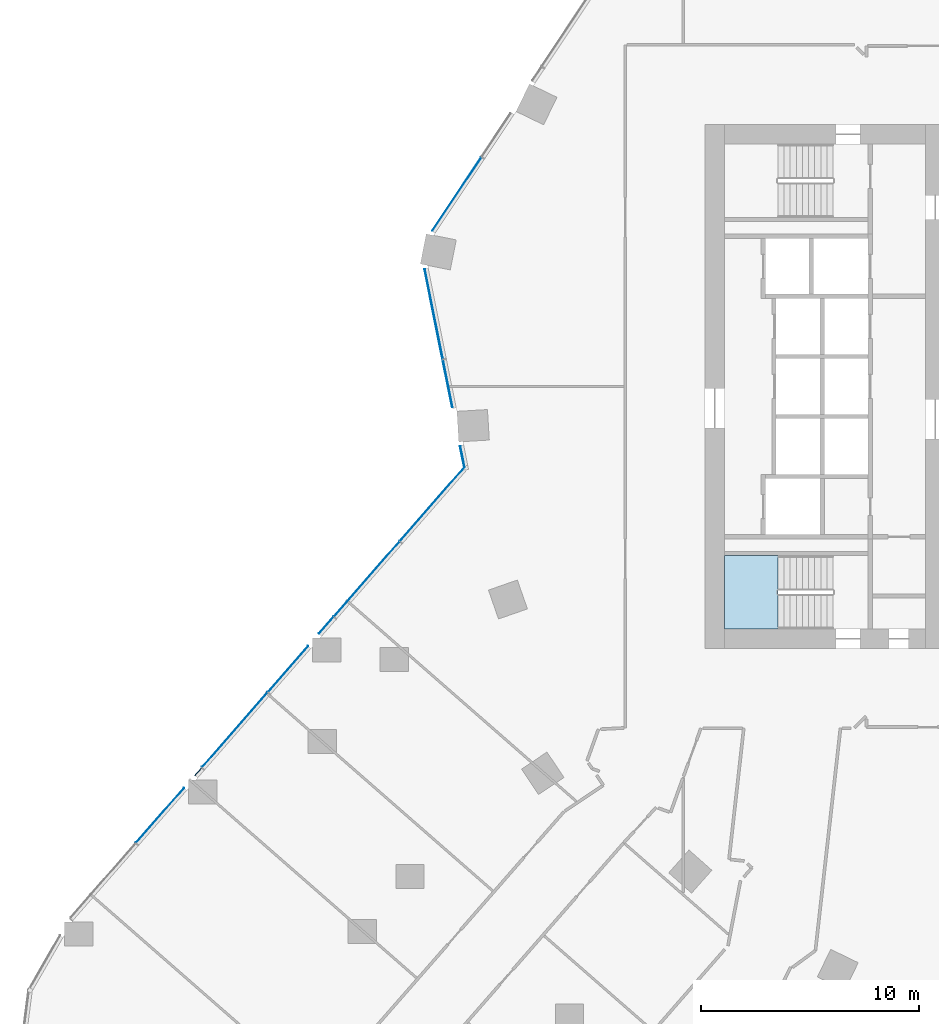
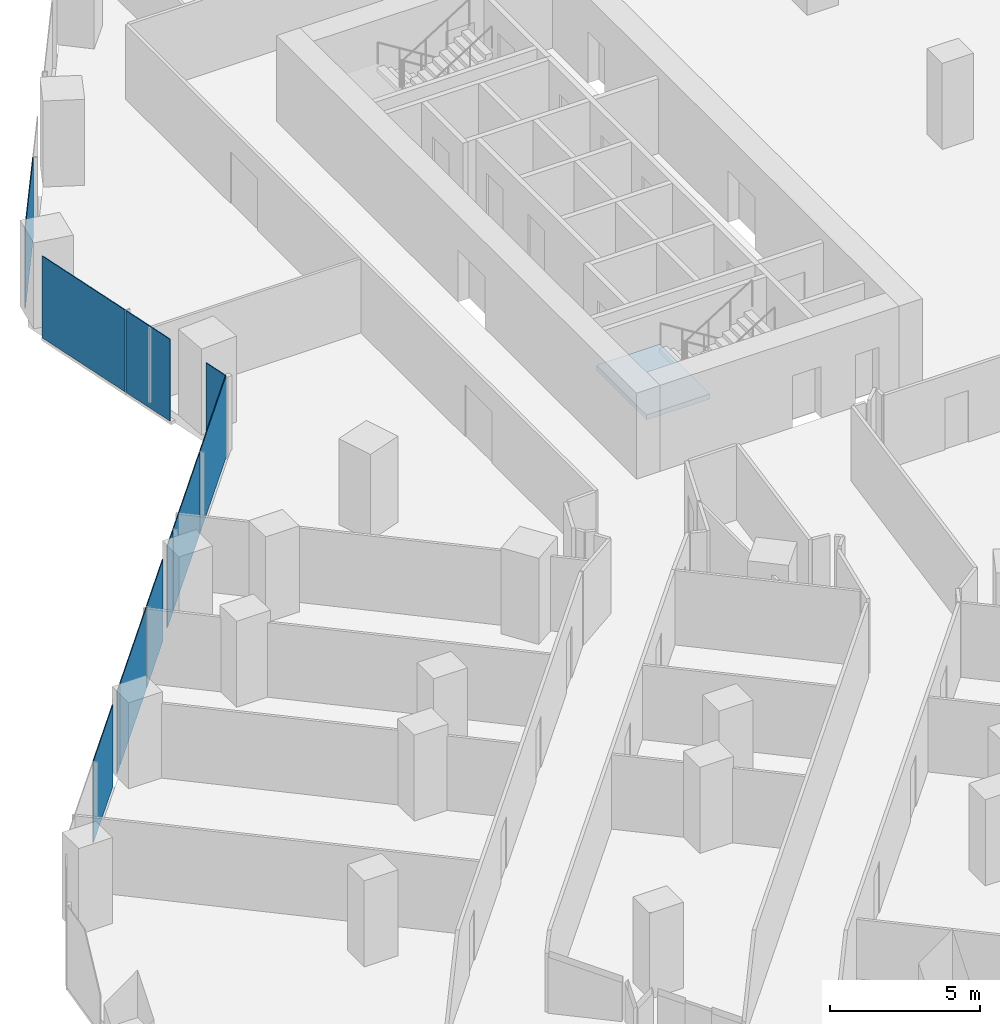
# One storey, part 20 of 38: 11 plates, 1 slab, 4 elements without a shape of their own.
"""IFC4 building model written with IfcOpenShell, lengths in metres."""

import ifcopenshell
import ifcopenshell.guid

model = None  # the IFC model being written
_history = None  # IfcOwnerHistory: only IFC2X3 demands one
_inside = {}  # id of a spatial element -> (the spatial element, [elements in it])
_under = {}  # id of a project, library or spatial element -> (it, [spatial elements below it])
_declared = {}  # id of a project -> (the project, [libraries it declares])
_typed = {}  # id of a type object -> (the type object, [elements of that type])
_made_of = {}  # id of a material, layer set ... -> (it, [elements and type objects made of it])


def new_model(schema):
    """Start an empty IFC model of exactly this schema.

    Asked for "IFC4X3", IfcOpenShell would pick the latest addendum, in which some entities
    have other attributes; the version numbers below select the first issue.
    IFC2X3 requires an IfcOwnerHistory on every rooted entity: one is made here for all.
    """
    global model, _history
    if schema == "IFC4X3":
        model = ifcopenshell.file(schema_version=(4, 3, 0, 0))
    else:
        model = ifcopenshell.file(schema=schema)
    _inside.clear()
    _under.clear()
    _declared.clear()
    _typed.clear()
    _made_of.clear()
    _history = None
    if model.schema == "IFC2X3":
        org = make("IfcOrganization", Name="unknown")
        user = make(
            "IfcPersonAndOrganization",
            ThePerson=make("IfcPerson", FamilyName="unknown"),
            TheOrganization=org,
        )
        app = make(
            "IfcApplication",
            ApplicationDeveloper=org,
            Version="unknown",
            ApplicationFullName="unknown",
            ApplicationIdentifier="unknown",
        )
        _history = make(
            "IfcOwnerHistory",
            OwningUser=user,
            OwningApplication=app,
            ChangeAction="ADDED",
            CreationDate=0,
        )
    return model


def make(cls, **values):
    """One entity of the class cls with the attributes given. An attribute that is None is left unset."""
    return model.create_entity(
        cls, **{name: value for name, value in values.items() if value is not None}
    )


def rooted(cls, **values):
    """An entity with a GlobalId (a new one), such as an element, a storey or a relation."""
    return make(cls, GlobalId=ifcopenshell.guid.new(), OwnerHistory=_history, **values)


def si_unit(unit_type, name, prefix=None):
    """IfcSIUnit, for example si_unit("LENGTHUNIT", "METRE", prefix="MILLI")."""
    return make("IfcSIUnit", UnitType=unit_type, Prefix=prefix, Name=name)


def assignment(units):
    """IfcUnitAssignment: the units of a project."""
    return None if units is None else make("IfcUnitAssignment", Units=units)


def point(xyz):
    """IfcCartesianPoint."""
    return None if xyz is None else make("IfcCartesianPoint", Coordinates=xyz)


def direction(xyz):
    """IfcDirection."""
    return None if xyz is None else make("IfcDirection", DirectionRatios=xyz)


def frame(location, z_axis=None, x_axis=None):
    """IfcAxis2Placement3D, a coordinate frame: its origin and axes. An axis left out is left unset."""
    return make(
        "IfcAxis2Placement3D",
        Location=point(location),
        Axis=direction(z_axis),
        RefDirection=direction(x_axis),
    )


def frame_2d(location, x_axis=None):
    """IfcAxis2Placement2D, a coordinate frame in the plane: its origin and x axis."""
    return make(
        "IfcAxis2Placement2D", Location=point(location), RefDirection=direction(x_axis)
    )


def origin():
    """The frame at (0, 0, 0) with its axes left unset."""
    return frame((0.0, 0.0, 0.0))


def origin_2d():
    """The frame at (0, 0) in the plane with its x axis left unset."""
    return frame_2d((0.0, 0.0))


def place(relative_to, where):
    """IfcLocalPlacement: puts the frame where relative to a parent placement (None: the world)."""
    return make(
        "IfcLocalPlacement", PlacementRelTo=relative_to, RelativePlacement=where
    )


def context(
    kind, dimensions, precision=None, world=None, true_north=None, identifier=None
):
    """IfcGeometricRepresentationContext, for example the 3D "Model" context."""
    return make(
        "IfcGeometricRepresentationContext",
        ContextIdentifier=identifier,
        ContextType=kind,
        CoordinateSpaceDimension=dimensions,
        Precision=precision,
        WorldCoordinateSystem=world,
        TrueNorth=true_north,
    )


def subcontext(parent, identifier, kind, view, scale=None):
    """IfcGeometricRepresentationSubContext, for example "Body" below "Model"."""
    return make(
        "IfcGeometricRepresentationSubContext",
        ContextIdentifier=identifier,
        ContextType=kind,
        ParentContext=parent,
        TargetScale=scale,
        TargetView=view,
    )


def project(units=None, contexts=None):
    """IfcProject with its units and contexts."""
    return rooted(
        "IfcProject",
        Name="project",
        RepresentationContexts=contexts,
        UnitsInContext=assignment(units),
    )


def spatial(cls, under=None, at=None, **own):
    """A site, building, storey or space (cls), placed at a placement, below another one or the project."""
    s = rooted(cls, ObjectPlacement=at, **own)
    if under is not None:
        _under.setdefault(under.id(), (under, []))[1].append(s)
    return s


def polyline(points):
    """IfcPolyline through the points."""
    return make("IfcPolyline", Points=[point(p) for p in points])


def profile(cls, at=None, kind="AREA", **sizes):
    """A parametric profile (cls). Its sizes go by their IFC names, for example OverallWidth=200.0."""
    return make(cls, ProfileType=kind, Position=at, **sizes)


def rectangle(**sizes):
    """IfcRectangleProfileDef."""
    return profile("IfcRectangleProfileDef", **sizes)


def outline(outer, holes=None, kind="AREA"):
    """IfcArbitraryClosedProfileDef: a profile drawn as a closed curve; with holes, ...WithVoids."""
    if holes is None:
        return make("IfcArbitraryClosedProfileDef", ProfileType=kind, OuterCurve=outer)
    return make(
        "IfcArbitraryProfileDefWithVoids",
        ProfileType=kind,
        OuterCurve=outer,
        InnerCurves=holes,
    )


def extrude(swept, where, along, depth):
    """IfcExtrudedAreaSolid: the profile swept, set in the frame where, extruded along a direction by depth."""
    return make(
        "IfcExtrudedAreaSolid",
        SweptArea=swept,
        Position=where,
        ExtrudedDirection=direction(along),
        Depth=depth,
    )


def shape(context_of_items, identifier, shape_type, items):
    """IfcShapeRepresentation: the items that make up one representation, for example the "Body"."""
    return make(
        "IfcShapeRepresentation",
        ContextOfItems=context_of_items,
        RepresentationIdentifier=identifier,
        RepresentationType=shape_type,
        Items=items,
    )


def material(Name=None, Category=None):
    """IfcMaterial."""
    return make("IfcMaterial", Name=Name, Category=Category)


def layer(
    of_material, thickness, ventilated=None, Name=None, Category=None, Priority=None
):
    """IfcMaterialLayer: one layer of a wall or slab, of a material (None: an air gap)."""
    return make(
        "IfcMaterialLayer",
        Material=of_material,
        LayerThickness=thickness,
        IsVentilated=ventilated,
        Name=Name,
        Category=Category,
        Priority=Priority,
    )


def layer_set(layers, Name=None):
    """IfcMaterialLayerSet."""
    return make("IfcMaterialLayerSet", MaterialLayers=layers, LayerSetName=Name)


def made_of(thing, what):
    """Note that an element or type object is made of a material, layer set ...; save() writes the relation."""
    if what is not None:
        _made_of.setdefault(what.id(), (what, []))[1].append(thing)
    return thing


def type_object(cls, material=None, **own):
    """A type object (cls), such as IfcWallType, which elements share."""
    return made_of(rooted(cls, **own), material)


def element(
    cls,
    number,
    at=None,
    inside=None,
    cuts=None,
    type_object=None,
    material=None,
    context=None,
    identifier="Body",
    shape_type=None,
    held_by="IfcProductDefinitionShape",
    body=None,
    shapes=None,
    **own,
):
    """One element of the class cls, such as IfcWall. Its Tag is "e" and its number.

    at: its placement. inside: the storey or other place that contains it. cuts: it is an
    opening in that element (IfcRelVoidsElement). A single representation is given by context,
    identifier, shape_type and body (its items); several are given by shapes. held_by: the class
    of the entity that holds the representations. save() writes the other relations.
    """
    e = rooted(cls, Tag="e%d" % number, ObjectPlacement=at, **own)
    if body is not None:
        shapes = [shape(context, identifier, shape_type, body)]
    if shapes is not None:
        e.Representation = make(held_by, Representations=shapes)
    if inside is not None:
        _inside.setdefault(inside.id(), (inside, []))[1].append(e)
    if cuts is not None:
        rooted(
            "IfcRelVoidsElement", RelatingBuildingElement=cuts, RelatedOpeningElement=e
        )
    if type_object is not None:
        _typed.setdefault(type_object.id(), (type_object, []))[1].append(e)
    return made_of(e, material)


def aggregate(whole, parts):
    """IfcRelAggregates: a whole, such as a stair, and the parts it consists of."""
    return rooted("IfcRelAggregates", RelatingObject=whole, RelatedObjects=parts)


def save(model, path):
    """Write the relations noted so far, then the file.

    IfcRelAggregates (storeys below a building ...), IfcRelContainedInSpatialStructure (elements
    in a storey), IfcRelDefinesByType, IfcRelAssociatesMaterial and IfcRelDeclares: one each for
    every whole, place, type object, material and project.
    """
    for whole, parts in _under.values():
        aggregate(whole, parts)
    for where, things in _inside.values():
        rooted(
            "IfcRelContainedInSpatialStructure",
            RelatedElements=things,
            RelatingStructure=where,
        )
    for kind, things in _typed.values():
        rooted("IfcRelDefinesByType", RelatedObjects=things, RelatingType=kind)
    for what, things in _made_of.values():
        rooted("IfcRelAssociatesMaterial", RelatedObjects=things, RelatingMaterial=what)
    for by, libraries in _declared.values():
        rooted("IfcRelDeclares", RelatingContext=by, RelatedDefinitions=libraries)
    model.write(path)


model = new_model("IFC4")

# Units and contexts
model_context = context("Model", 3, precision=1e-05, world=origin(), true_north=direction((0.0, 1.0)))
body_context = subcontext(model_context, "Body", "Model", "MODEL_VIEW")
ifc_project = project(units=[si_unit("LENGTHUNIT", "METRE"), si_unit("AREAUNIT", "SQUARE_METRE"), si_unit("VOLUMEUNIT", "CUBIC_METRE"), si_unit("PLANEANGLEUNIT", "RADIAN"), si_unit("MASSUNIT", "GRAM", prefix="KILO")], contexts=[model_context])

# Site, building, storey
site_placement = place(None, origin())
site = spatial("IfcSite", under=ifc_project, at=site_placement, CompositionType="ELEMENT")
building_placement = place(site_placement, origin())
building = spatial("IfcBuilding", under=site, at=building_placement, Name="Orlundy Tower", CompositionType="ELEMENT")
storey_placement = place(building_placement, frame((0.0, 0.0, 72.800048828125)))
storey = spatial("IfcBuildingStorey", under=building, at=storey_placement, Name="L17", CompositionType="ELEMENT", Elevation=72.800048828125)

# Curtain wall, plates
ifc_material_1 = material(Name="Aluminium bronze anodised", Category="aluminium")
curtain_wall_type = type_object("IfcCurtainWallType", Name="CW1 wall", PredefinedType="NOTDEFINED", material=ifc_material_1)
curtain_wall_1_placement = place(storey_placement, origin())
curtain_wall_1 = element("IfcCurtainWall", 1, at=curtain_wall_1_placement, inside=storey, type_object=curtain_wall_type, Name="CW1 run 012", PredefinedType="NOTDEFINED")
ifc_material_2 = material(Name="Tinted glass", Category="glass")
ifc_layer_1 = layer(ifc_material_2, 0.031982421875)
ifc_layer_set_1 = layer_set([ifc_layer_1], Name="CW1 glass panel 32")
plate_type = type_object("IfcPlateType", Name="CW1 glass panel 32", PredefinedType="CURTAIN_PANEL", material=ifc_layer_set_1)
plate_1_placement = place(storey_placement, frame((-43.957275390625, -19.63818359375, -0.280029296875), z_axis=(0.0, 0.0, 1.0), x_axis=(0.658273153933, 0.752779154075, 0.0)))
plate_1 = element("IfcPlate", 2, at=plate_1_placement, type_object=plate_type, Name="CW1 panel", PredefinedType="CURTAIN_PANEL", context=body_context, shape_type="SweptSolid", body=[
    extrude(rectangle(XDim=3.33642578125, YDim=0.031982421875, at=origin_2d()), origin(), (0.0, 0.0, 1.0), 3.330078125),
])
plate_2_placement = place(storey_placement, frame((-42.218017578125, -17.649169921875, -0.280029296875), z_axis=(0.0, 0.0, 1.0), x_axis=(0.658273153933, 0.752779154075, 0.0)))
plate_2 = element("IfcPlate", 3, at=plate_2_placement, type_object=plate_type, Name="CW1 panel", PredefinedType="CURTAIN_PANEL", context=body_context, shape_type="SweptSolid", body=[
    extrude(rectangle(XDim=0.456787109375, YDim=0.031982421875, at=origin_2d()), origin(), (0.0, 0.0, 1.0), 3.330078125),
])
plate_3_placement = place(storey_placement, frame((-40.540771484375, -15.731201171875, -0.280029296875), z_axis=(0.0, 0.0, 1.0), x_axis=(0.658273153933, 0.752779154075, 0.0)))
plate_3 = element("IfcPlate", 4, at=plate_3_placement, type_object=plate_type, Name="CW1 panel", PredefinedType="CURTAIN_PANEL", context=body_context, shape_type="SweptSolid", body=[
    extrude(rectangle(XDim=4.538818359375, YDim=0.031982421875, at=origin_2d()), origin(), (0.0, 0.0, 1.0), 3.330078125),
])
plate_4_placement = place(storey_placement, frame((-38.095458984375, -12.934814453125, -0.280029296875), z_axis=(0.0, 0.0, 1.0), x_axis=(0.658273153933, 0.752779154075, 0.0)))
plate_4 = element("IfcPlate", 5, at=plate_4_placement, type_object=plate_type, Name="CW1 panel", PredefinedType="CURTAIN_PANEL", context=body_context, shape_type="SweptSolid", body=[
    extrude(rectangle(XDim=2.79052734375, YDim=0.031982421875, at=origin_2d()), origin(), (0.0, 0.0, 1.0), 3.330078125),
])
plate_5_placement = place(storey_placement, frame((-36.355712890625, -10.9453125, -0.280029296875), z_axis=(0.0, 0.0, 1.0), x_axis=(0.658273153933, 0.752779154075, 0.0)))
plate_5 = element("IfcPlate", 6, at=plate_5_placement, type_object=plate_type, Name="CW1 panel", PredefinedType="CURTAIN_PANEL", context=body_context, shape_type="SweptSolid", body=[
    extrude(rectangle(XDim=1.0009765625, YDim=0.031982421875, at=origin_2d()), origin(), (0.0, 0.0, 1.0), 3.330078125),
])
plate_6_placement = place(storey_placement, frame((-34.49951171875, -8.822509765625, -0.280029296875), z_axis=(0.0, 0.0, 1.0), x_axis=(0.658273153933, 0.752779154075, 0.0)))
plate_6 = element("IfcPlate", 7, at=plate_6_placement, type_object=plate_type, Name="CW1 panel", PredefinedType="CURTAIN_PANEL", context=body_context, shape_type="SweptSolid", body=[
    extrude(rectangle(XDim=4.538818359375, YDim=0.031982421875, at=origin_2d()), origin(), (0.0, 0.0, 1.0), 3.330078125),
])
plate_7_placement = place(storey_placement, frame((-31.4970703125, -5.38916015625, -0.280029296875), z_axis=(0.0, 0.0, 1.0), x_axis=(0.658273153933, 0.752779154075, 0.0)))
plate_7 = element("IfcPlate", 8, at=plate_7_placement, type_object=plate_type, Name="CW1 panel", PredefinedType="CURTAIN_PANEL", context=body_context, shape_type="SweptSolid", body=[
    extrude(rectangle(XDim=4.48291015625, YDim=0.031982421875, at=origin_2d()), origin(), (0.0, 0.0, 1.0), 3.330078125),
])
aggregate(curtain_wall_1, [plate_1, plate_2, plate_3, plate_4, plate_5, plate_6, plate_7])

curtain_wall_2_placement = place(storey_placement, origin())
curtain_wall_2 = element("IfcCurtainWall", 9, at=curtain_wall_2_placement, inside=storey, type_object=curtain_wall_type, Name="CW1 run 013", PredefinedType="NOTDEFINED")
plate_8_placement = place(storey_placement, frame((-30.11865234375, -3.21826171875, -0.280029296875), z_axis=(0.0, 0.0, 1.0), x_axis=(-0.196529373401, 0.980497937474, 0.0)))
plate_8 = element("IfcPlate", 10, at=plate_8_placement, type_object=plate_type, Name="CW1 panel", PredefinedType="CURTAIN_PANEL", context=body_context, shape_type="SweptSolid", body=[
    extrude(rectangle(XDim=0.986572265625, YDim=0.031982421875, at=origin_2d()), origin(), (0.0, 0.0, 1.0), 3.330078125),
])
plate_9_placement = place(storey_placement, frame((-30.789794921875, 0.130126953125, -0.280029296875), z_axis=(0.0, 0.0, 1.0), x_axis=(-0.196529373401, 0.980497937474, 0.0)))
plate_9 = element("IfcPlate", 11, at=plate_9_placement, type_object=plate_type, Name="CW1 panel", PredefinedType="CURTAIN_PANEL", context=body_context, shape_type="SweptSolid", body=[
    extrude(rectangle(XDim=2.209228515625, YDim=0.031982421875, at=origin_2d()), origin(), (0.0, 0.0, 1.0), 3.330078125),
])
plate_10_placement = place(storey_placement, frame((-31.42822265625, 3.315185546875, -0.280029296875), z_axis=(0.0, 0.0, 1.0), x_axis=(-0.196529373401, 0.980497937474, 0.0)))
plate_10 = element("IfcPlate", 12, at=plate_10_placement, type_object=plate_type, Name="CW1 panel", PredefinedType="CURTAIN_PANEL", context=body_context, shape_type="SweptSolid", body=[
    extrude(rectangle(XDim=4.187255859375, YDim=0.031982421875, at=origin_2d()), origin(), (0.0, 0.0, 1.0), 3.330078125),
])
aggregate(curtain_wall_2, [plate_8, plate_9, plate_10])

# Curtain wall, plate
curtain_wall_3_placement = place(storey_placement, origin())
curtain_wall_3 = element("IfcCurtainWall", 13, at=curtain_wall_3_placement, inside=storey, type_object=curtain_wall_type, Name="CW1 run 014", PredefinedType="NOTDEFINED")
plate_11_placement = place(storey_placement, frame((-30.37158203125, 8.81494140625, -0.280029296875), z_axis=(0.0, 0.0, 1.0), x_axis=(0.554356579774, 0.832279269513, 0.0)))
plate_11 = element("IfcPlate", 14, at=plate_11_placement, type_object=plate_type, Name="CW1 panel", PredefinedType="CURTAIN_PANEL", context=body_context, shape_type="SweptSolid", body=[
    extrude(rectangle(XDim=4.03955078125, YDim=0.031982421875, at=origin_2d()), origin(), (0.0, 0.0, 1.0), 3.330078125),
])
aggregate(curtain_wall_3, [plate_11])

# Stair, slab
ifc_material_3 = material(Name="Concrete C50/60", Category="concrete")
stair_type = type_object("IfcStairType", Name="Exit Stair 20 risers", PredefinedType="HALF_TURN_STAIR", material=ifc_material_3)
stair_placement = place(storey_placement, origin())
stair = element("IfcStair", 15, at=stair_placement, inside=storey, type_object=stair_type, Name="L17 Exit Stair ST-W2", PredefinedType="HALF_TURN_STAIR")
ifc_material_4 = material(Name="Concrete C50/60", Category="concrete")
ifc_layer_2 = layer(ifc_material_4, 0.199951171875)
ifc_layer_set_2 = layer_set([ifc_layer_2], Name="Exit Stair Landing")
slab_type = type_object("IfcSlabType", Name="Exit Stair Landing", PredefinedType="LANDING", material=ifc_layer_set_2)
slab_placement = place(storey_placement, frame((0.0, 0.0, 1.550048828125)))
slab = element("IfcSlab", 16, at=slab_placement, type_object=slab_type, Name="ST-W2 landing 1", PredefinedType="LANDING", context=body_context, shape_type="SweptSolid", body=[
    extrude(outline(polyline([(-15.659912109375, -7.75), (-18.10009765625, -7.75), (-18.10009765625, -11.10009765625), (-15.659912109375, -11.10009765625), (-15.659912109375, -7.75)])), origin(), (0.0, 0.0, 1.0), 0.199951171875),
])
aggregate(stair, [slab])

save(model, "model.ifc")
